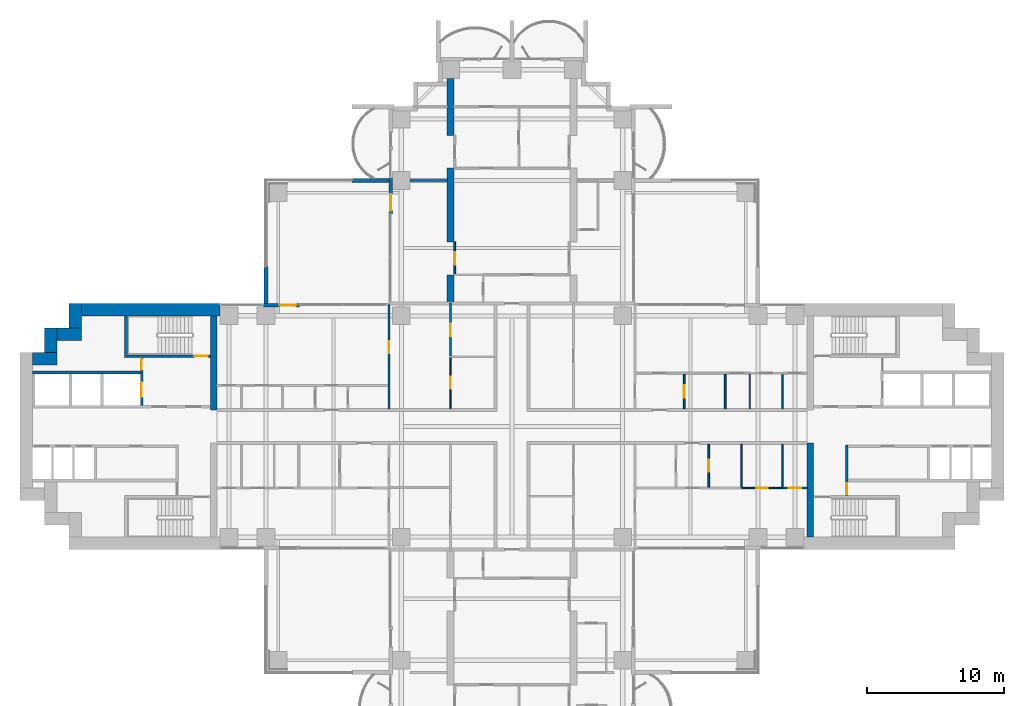
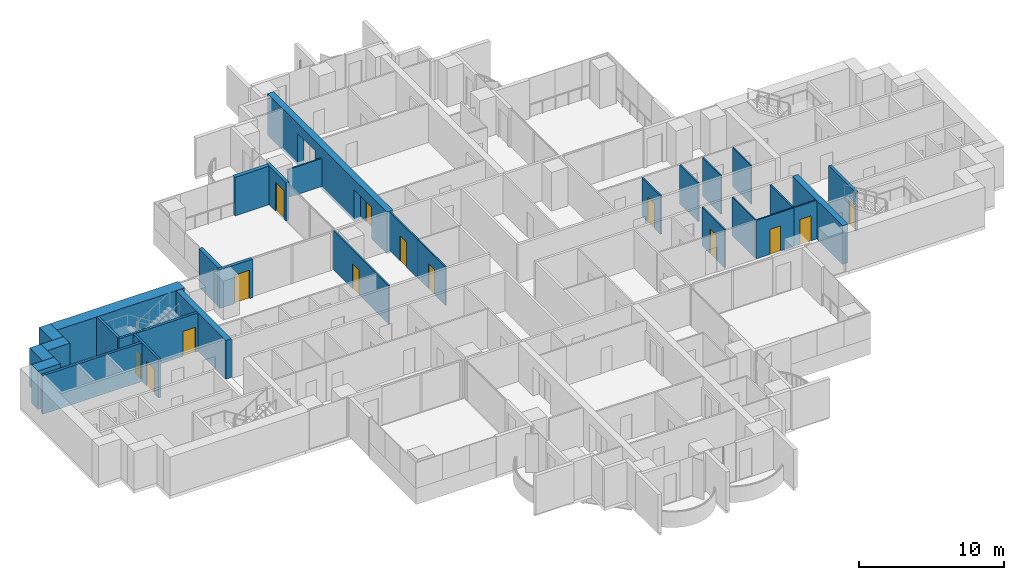
# One storey, part 13 of 21: 31 walls, 14 doors, 14 openings.
"""IFC4 building model written with IfcOpenShell, lengths in metres."""

from ifc_helpers import new_model, si_unit, direction, frame, frame_2d, origin, place, context, subcontext, project, spatial, polyline, rectangle, outline, extrude, material, layer, layer_set, material_profile, profile_set, type_object, element, fill, save


model = new_model("IFC4")

# Units and contexts
model_context = context("Model", 3, precision=1e-05, world=origin(), true_north=direction((0.0, 1.0)))
body_context = subcontext(model_context, "Body", "Model", "MODEL_VIEW")
ifc_project = project(units=[si_unit("LENGTHUNIT", "METRE"), si_unit("AREAUNIT", "SQUARE_METRE"), si_unit("VOLUMEUNIT", "CUBIC_METRE"), si_unit("PLANEANGLEUNIT", "RADIAN"), si_unit("MASSUNIT", "GRAM", prefix="KILO")], contexts=[model_context])

# Site, building, storey
site_placement = place(None, origin())
site = spatial("IfcSite", under=ifc_project, at=site_placement, CompositionType="ELEMENT")
building_placement = place(site_placement, origin())
building = spatial("IfcBuilding", under=site, at=building_placement, Name="Perihelion Cross Residences", CompositionType="ELEMENT")
storey_placement = place(building_placement, frame((0.0, 0.0, 54.0)))
storey = spatial("IfcBuildingStorey", under=building, at=storey_placement, Name="L10", CompositionType="ELEMENT", Elevation=54.0)

# Wall, opening, door
ifc_material_1 = material(Name="Concrete C30/37, bronze-clad", Category="concrete")
ifc_layer_1 = layer(ifc_material_1, 0.25)
ifc_layer_set_1 = layer_set([ifc_layer_1], Name="Bronze-clad pier wall 250")
wall_type_1 = type_object("IfcWallType", Name="Bronze-clad pier wall 250", PredefinedType="SOLIDWALL", material=ifc_layer_set_1)
wall_1_placement = place(storey_placement, frame((-8.875, 18.199951171875, 0.0), z_axis=(0.0, 0.0, 1.0), x_axis=(0.0, -1.0, 0.0)))
wall_1 = element("IfcWall", 1, at=wall_1_placement, inside=storey, type_object=wall_type_1, Name="Wall FW1 L10 north side west bay 2 pier", PredefinedType="SOLIDWALL", context=body_context, shape_type="SweptSolid", body=[
    extrude(rectangle(XDim=2.64990234375, YDim=0.25, at=frame_2d((1.324951171875, 0.0))), origin(), (0.0, 0.0, 1.0), 3.25),
])
opening_1_placement = place(wall_1_placement, frame((1.199951171875, 0.0, 0.0)))
opening_1 = element("IfcOpeningElement", 2, at=opening_1_placement, cuts=wall_1, Name="Opening L10.E07", PredefinedType="OPENING", context=body_context, shape_type="SweptSolid", body=[
    extrude(rectangle(XDim=1.199951171875, YDim=2.39990234375, at=frame_2d((0.60009765625, 1.199951171875))), frame((0.0, 0.135009765625, 0.0), z_axis=(0.0, -1.0, 0.0), x_axis=(1.0, 0.0, 0.0)), (0.0, 0.0, 1.0), 0.27001953125),
])
ifc_material_2 = material(Name="Bronze anodised aluminium, glazed", Category="aluminium")
door_type_1 = type_object("IfcDoorType", Name="Balcony door 1200 x 2400", OperationType="NOTDEFINED", PredefinedType="DOOR", material=ifc_material_2)
door_1_placement = place(opening_1_placement, origin())
door_1 = element("IfcDoor", 3, at=door_1_placement, inside=storey, type_object=door_type_1, Name="Door L10.E07 north side west bay 2", OperationType="SINGLE_SWING_RIGHT", OverallHeight=2.39990234375, OverallWidth=1.199951171875, PredefinedType="DOOR", context=body_context, shape_type="SweptSolid", body=[
    extrude(rectangle(XDim=1.199951171875, YDim=2.39990234375, at=frame_2d((0.60009765625, 1.199951171875))), frame((0.0, 0.02490234375, 0.0), z_axis=(0.0, -1.0, 0.0), x_axis=(1.0, 0.0, 0.0)), (0.0, 0.0, 1.0), 0.050048828125),
])
fill(opening_1, door_1)

wall_2_placement = place(storey_placement, frame((-15.550048828125, 8.875, 0.0), z_axis=(0.0, 0.0, 1.0), x_axis=(-1.0, 0.0, 0.0)))
wall_2 = element("IfcWall", 4, at=wall_2_placement, inside=storey, type_object=wall_type_1, Name="Wall FW1 L10 west side north bay 1 pier", PredefinedType="SOLIDWALL", context=body_context, shape_type="SweptSolid", body=[
    extrude(rectangle(XDim=2.64990234375, YDim=0.25, at=frame_2d((1.324951171875, 0.0))), origin(), (0.0, 0.0, 1.0), 3.25),
])
opening_2_placement = place(wall_2_placement, frame((0.25, 0.0, 0.0)))
opening_2 = element("IfcOpeningElement", 5, at=opening_2_placement, cuts=wall_2, Name="Opening L10.E08", PredefinedType="OPENING", context=body_context, shape_type="SweptSolid", body=[
    extrude(rectangle(XDim=1.199951171875, YDim=2.39990234375, at=frame_2d((0.60009765625, 1.199951171875))), frame((0.0, 0.135009765625, 0.0), z_axis=(0.0, -1.0, 0.0), x_axis=(1.0, 0.0, 0.0)), (0.0, 0.0, 1.0), 0.27001953125),
])
door_2_placement = place(opening_2_placement, origin())
door_2 = element("IfcDoor", 6, at=door_2_placement, inside=storey, type_object=door_type_1, Name="Door L10.E08 west side north bay 1", OperationType="SINGLE_SWING_LEFT", OverallHeight=2.39990234375, OverallWidth=1.199951171875, PredefinedType="DOOR", context=body_context, shape_type="SweptSolid", body=[
    extrude(rectangle(XDim=1.199951171875, YDim=2.39990234375, at=frame_2d((0.60009765625, 1.199951171875))), frame((0.0, 0.02490234375, 0.0), z_axis=(0.0, -1.0, 0.0), x_axis=(1.0, 0.0, 0.0)), (0.0, 0.0, 1.0), 0.050048828125),
])
fill(opening_2, door_2)

# Walls
ifc_material_3 = material(Name="Concrete C60/75", Category="concrete")
ifc_layer_2 = layer(ifc_material_3, 0.449951171875)
ifc_layer_set_2 = layer_set([ifc_layer_2], Name="Core wall, inner 450")
wall_type_2 = type_object("IfcWallType", Name="Core wall, inner 450", PredefinedType="SHEAR", material=ifc_layer_set_2)
for number, where, z_axis, x_axis, name in (
    (7, (21.824951171875, -8.10009765625, 0.0), (0.0, 0.0, 1.0), (0.0, 1.0, 0.0), "East core core wall, inner"),
    (8, (-21.824951171875, 1.199951171875, 0.0), (0.0, 0.0, 1.0), (0.0, 1.0, 0.0), "West core core wall, inner"),
):
    element("IfcWall", number, at=place(storey_placement, frame(where, z_axis=z_axis, x_axis=x_axis)), inside=storey, type_object=wall_type_2, Name=name, PredefinedType="SHEAR", context=body_context, shape_type="SweptSolid", body=[
        extrude(rectangle(XDim=6.900146484375, YDim=0.449951171875, at=frame_2d((3.4501953125, 0.0))), origin(), (0.0, 0.0, 1.0), 3.25),
    ])
ifc_material_4 = material(Name="Concrete C60/75", Category="concrete")
ifc_layer_3 = layer(ifc_material_4, 0.89990234375)
ifc_layer_set_3 = layer_set([ifc_layer_3], Name="Core wall, outer 900")
wall_type_3 = type_object("IfcWallType", Name="Core wall, outer 900", PredefinedType="SHEAR", material=ifc_layer_set_3)
for number, where, z_axis, x_axis, name in (
    (9, (-35.10009765625, 4.949951171875, 0.0), (0.0, 0.0, 1.0), (1.0, 0.0, 0.0), "West core core wall, outer"),
    (10, (-33.75, 5.39990234375, 0.0), (0.0, 0.0, 1.0), (0.0, 1.0, 0.0), "West core core wall, outer"),
    (11, (-33.300048828125, 6.75, 0.0), (0.0, 0.0, 1.0), (1.0, 0.0, 0.0), "West core core wall, outer"),
    (12, (-31.949951171875, 7.199951171875, 0.0), (0.0, 0.0, 1.0), (0.0, 1.0, 0.0), "West core core wall, outer"),
):
    element("IfcWall", number, at=place(storey_placement, frame(where, z_axis=z_axis, x_axis=x_axis)), inside=storey, type_object=wall_type_3, Name=name, PredefinedType="SHEAR", context=body_context, shape_type="SweptSolid", body=[
        extrude(rectangle(XDim=1.800048828125, YDim=0.89990234375, at=frame_2d((0.89990234375, 0.0))), origin(), (0.0, 0.0, 1.0), 3.25),
    ])
wall_3_placement = place(storey_placement, frame((-31.5, 8.550048828125, 0.0), z_axis=(0.0, 0.0, 1.0), x_axis=(1.0, 0.0, 0.0)))
element("IfcWall", 13, at=wall_3_placement, inside=storey, type_object=wall_type_3, Name="West core core wall, outer", PredefinedType="SHEAR", context=body_context, shape_type="SweptSolid", body=[
    extrude(rectangle(XDim=10.14990234375, YDim=0.89990234375, at=frame_2d((5.074951171875, 0.0))), origin(), (0.0, 0.0, 1.0), 3.25),
])

# Wall, opening, door
ifc_material_5 = material(Name="Plasterboard partition")
ifc_layer_4 = layer(ifc_material_5, 0.1201171875)
ifc_layer_set_4 = layer_set([ifc_layer_4], Name="Infill panel 120")
wall_type_4 = type_object("IfcWallType", Name="Infill panel 120", PredefinedType="PARTITIONING", material=ifc_layer_set_4)
wall_4_placement = place(storey_placement, frame((-4.18994140625, 11.10009765625, 0.0), z_axis=(0.0, 0.0, 1.0), x_axis=(0.0, 1.0, 0.0)))
wall_4 = element("IfcWall", 14, at=wall_4_placement, inside=storey, type_object=wall_type_4, Name="Partition L10 WI03", PredefinedType="PARTITIONING", context=body_context, shape_type="SweptSolid", body=[
    extrude(rectangle(XDim=2.39990234375, YDim=0.1201171875, at=frame_2d((1.199951171875, 0.0))), origin(), (0.0, 0.0, 1.0), 2.39990234375),
])
opening_3_placement = place(wall_4_placement, frame((0.75, 0.0, 0.0)))
opening_3 = element("IfcOpeningElement", 15, at=opening_3_placement, cuts=wall_4, Name="Opening L10.A53", PredefinedType="OPENING", context=body_context, shape_type="SweptSolid", body=[
    extrude(rectangle(XDim=0.89990234375, YDim=2.10009765625, at=frame_2d((0.449951171875, 1.050048828125))), frame((0.0, 0.070068359375, 0.0), z_axis=(0.0, -1.0, 0.0), x_axis=(1.0, 0.0, 0.0)), (0.0, 0.0, 1.0), 0.14013671875),
])
ifc_material_6 = material(Name="Timber door leaf", Category="wood")
door_type_2 = type_object("IfcDoorType", Name="Interior room door 900 x 2100", OperationType="SINGLE_SWING_LEFT", PredefinedType="DOOR", material=ifc_material_6)
door_3_placement = place(opening_3_placement, origin())
door_3 = element("IfcDoor", 16, at=door_3_placement, inside=storey, type_object=door_type_2, Name="Door L10.A53", OperationType="SINGLE_SWING_RIGHT", OverallHeight=2.10009765625, OverallWidth=0.89990234375, PredefinedType="DOOR", context=body_context, shape_type="SweptSolid", body=[
    extrude(rectangle(XDim=0.89990234375, YDim=2.10009765625, at=frame_2d((0.449951171875, 1.050048828125))), frame((0.0, 0.02490234375, 0.0), z_axis=(0.0, -1.0, 0.0), x_axis=(1.0, 0.0, 0.0)), (0.0, 0.0, 1.0), 0.050048828125),
])
fill(opening_3, door_3)

ifc_material_7 = material(Name="Concrete C50/60", Category="concrete")
ifc_layer_5 = layer(ifc_material_7, 0.199951171875)
ifc_layer_set_5 = layer_set([ifc_layer_5], Name="Lobby wall 200")
wall_type_5 = type_object("IfcWallType", Name="Lobby wall 200", PredefinedType="SOLIDWALL", material=ifc_layer_set_5)
wall_5_placement = place(storey_placement, frame((24.5, -5.050048828125, 0.0), z_axis=(0.0, 0.0, 1.0), x_axis=(0.0, 1.0, 0.0)))
wall_5 = element("IfcWall", 17, at=wall_5_placement, inside=storey, type_object=wall_type_5, Name="East core lobby wall", PredefinedType="SOLIDWALL", context=body_context, shape_type="SweptSolid", body=[
    extrude(rectangle(XDim=3.699951171875, YDim=0.199951171875, at=frame_2d((1.85009765625, 0.0))), origin(), (0.0, 0.0, 1.0), 3.25),
])
opening_4_placement = place(wall_5_placement, frame((0.10009765625, 0.0, 0.0)))
opening_4 = element("IfcOpeningElement", 18, at=opening_4_placement, cuts=wall_5, Name="Opening L10.C08", PredefinedType="OPENING", context=body_context, shape_type="SweptSolid", body=[
    extrude(rectangle(XDim=0.800048828125, YDim=2.10009765625, at=frame_2d((0.39990234375, 1.050048828125))), frame((0.0, 0.10986328125, 0.0), z_axis=(0.0, -1.0, 0.0), x_axis=(1.0, 0.0, 0.0)), (0.0, 0.0, 1.0), 0.219970703125),
])
ifc_material_8 = material(Name="Steel, powder coated", Category="steel")
door_type_3 = type_object("IfcDoorType", Name="Riser door 800", OperationType="SINGLE_SWING_LEFT", PredefinedType="DOOR", material=ifc_material_8)
door_4_placement = place(opening_4_placement, origin())
door_4 = element("IfcDoor", 19, at=door_4_placement, inside=storey, type_object=door_type_3, Name="East core riser door", OperationType="SINGLE_SWING_LEFT", OverallHeight=2.10009765625, OverallWidth=0.800048828125, PredefinedType="DOOR", context=body_context, shape_type="SweptSolid", body=[
    extrude(rectangle(XDim=0.800048828125, YDim=2.10009765625, at=frame_2d((0.39990234375, 1.050048828125))), frame((0.0, 0.02490234375, 0.0), z_axis=(0.0, -1.0, 0.0), x_axis=(1.0, 0.0, 0.0)), (0.0, 0.0, 1.0), 0.050048828125),
])
fill(opening_4, door_4)

ifc_material_9 = material(Name="Plasterboard partition")
ifc_layer_6 = layer(ifc_material_9, 0.1201171875)
ifc_layer_set_6 = layer_set([ifc_layer_6], Name="Partition wall 120")
wall_type_6 = type_object("IfcWallType", Name="Partition wall 120", PredefinedType="PARTITIONING", material=ifc_layer_set_6)
wall_6_placement = place(storey_placement, frame((12.60009765625, 3.840087890625, 0.0), z_axis=(0.0, 0.0, 1.0), x_axis=(0.0, -1.0, 0.0)))
wall_6 = element("IfcWall", 20, at=wall_6_placement, inside=storey, type_object=wall_type_6, Name="Partition L10 W011", PredefinedType="PARTITIONING", context=body_context, shape_type="SweptSolid", body=[
    extrude(rectangle(XDim=2.5400390625, YDim=0.1201171875, at=frame_2d((1.27001953125, 0.0))), origin(), (0.0, 0.0, 1.0), 3.25),
])
opening_5_placement = place(wall_6_placement, frame((0.820068359375, 0.0, 0.0)))
opening_5 = element("IfcOpeningElement", 21, at=opening_5_placement, cuts=wall_6, Name="Opening L10.A04", PredefinedType="OPENING", context=body_context, shape_type="SweptSolid", body=[
    extrude(rectangle(XDim=0.89990234375, YDim=2.10009765625, at=frame_2d((0.449951171875, 1.050048828125))), frame((0.0, 0.070068359375, 0.0), z_axis=(0.0, -1.0, 0.0), x_axis=(1.0, 0.0, 0.0)), (0.0, 0.0, 1.0), 0.14013671875),
])
door_5_placement = place(opening_5_placement, origin())
door_5 = element("IfcDoor", 22, at=door_5_placement, inside=storey, type_object=door_type_2, Name="Door L10.A04", OperationType="SINGLE_SWING_RIGHT", OverallHeight=2.10009765625, OverallWidth=0.89990234375, PredefinedType="DOOR", context=body_context, shape_type="SweptSolid", body=[
    extrude(rectangle(XDim=0.89990234375, YDim=2.10009765625, at=frame_2d((0.449951171875, 1.050048828125))), frame((0.0, 0.02490234375, 0.0), z_axis=(0.0, -1.0, 0.0), x_axis=(1.0, 0.0, 0.0)), (0.0, 0.0, 1.0), 0.050048828125),
])
fill(opening_5, door_5)

# Wall
wall_7_placement = place(storey_placement, frame((15.60009765625, 3.840087890625, 0.0), z_axis=(0.0, 0.0, 1.0), x_axis=(0.0, -1.0, 0.0)))
element("IfcWall", 23, at=wall_7_placement, inside=storey, type_object=wall_type_6, Name="Partition L10 W014", PredefinedType="PARTITIONING", context=body_context, shape_type="SweptSolid", body=[
    extrude(rectangle(XDim=2.5400390625, YDim=0.1201171875, at=frame_2d((1.27001953125, 0.0))), origin(), (0.0, 0.0, 1.0), 3.25),
])

# Wall, opening, door
wall_8_placement = place(storey_placement, frame((14.39990234375, -1.300048828125, 0.0), z_axis=(0.0, 0.0, 1.0), x_axis=(0.0, -1.0, 0.0)))
wall_8 = element("IfcWall", 24, at=wall_8_placement, inside=storey, type_object=wall_type_6, Name="Partition L10 W023", PredefinedType="PARTITIONING", context=body_context, shape_type="SweptSolid", body=[
    extrude(rectangle(XDim=3.139892578125, YDim=0.1201171875, at=frame_2d((1.56982421875, 0.0))), origin(), (0.0, 0.0, 1.0), 3.25),
])
opening_6_placement = place(wall_8_placement, frame((1.1201171875, 0.0, 0.0)))
opening_6 = element("IfcOpeningElement", 25, at=opening_6_placement, cuts=wall_8, Name="Opening L10.A15", PredefinedType="OPENING", context=body_context, shape_type="SweptSolid", body=[
    extrude(rectangle(XDim=0.89990234375, YDim=2.10009765625, at=frame_2d((0.449951171875, 1.050048828125))), frame((0.0, 0.070068359375, 0.0), z_axis=(0.0, -1.0, 0.0), x_axis=(1.0, 0.0, 0.0)), (0.0, 0.0, 1.0), 0.14013671875),
])
door_6_placement = place(opening_6_placement, origin())
door_6 = element("IfcDoor", 26, at=door_6_placement, inside=storey, type_object=door_type_2, Name="Door L10.A15", OperationType="SINGLE_SWING_LEFT", OverallHeight=2.10009765625, OverallWidth=0.89990234375, PredefinedType="DOOR", context=body_context, shape_type="SweptSolid", body=[
    extrude(rectangle(XDim=0.89990234375, YDim=2.10009765625, at=frame_2d((0.449951171875, 1.050048828125))), frame((0.0, 0.02490234375, 0.0), z_axis=(0.0, -1.0, 0.0), x_axis=(1.0, 0.0, 0.0)), (0.0, 0.0, 1.0), 0.050048828125),
])
fill(opening_6, door_6)

wall_9_placement = place(storey_placement, frame((21.60009765625, -4.5, 0.0), z_axis=(0.0, 0.0, 1.0), x_axis=(-1.0, 0.0, 0.0)))
wall_9 = element("IfcWall", 27, at=wall_9_placement, inside=storey, type_object=wall_type_6, Name="Partition L10 W027", PredefinedType="PARTITIONING", context=body_context, shape_type="SweptSolid", body=[
    extrude(rectangle(XDim=1.800048828125, YDim=0.1201171875, at=frame_2d((0.89990234375, 0.0))), origin(), (0.0, 0.0, 1.0), 3.25),
])
opening_7_placement = place(wall_9_placement, frame((0.449951171875, 0.0, 0.0)))
opening_7 = element("IfcOpeningElement", 28, at=opening_7_placement, cuts=wall_9, Name="Opening L10.A13", PredefinedType="OPENING", context=body_context, shape_type="SweptSolid", body=[
    extrude(rectangle(XDim=0.89990234375, YDim=2.10009765625, at=frame_2d((0.449951171875, 1.050048828125))), frame((0.0, 0.070068359375, 0.0), z_axis=(0.0, -1.0, 0.0), x_axis=(1.0, 0.0, 0.0)), (0.0, 0.0, 1.0), 0.14013671875),
])
door_7_placement = place(opening_7_placement, origin())
door_7 = element("IfcDoor", 29, at=door_7_placement, inside=storey, type_object=door_type_2, Name="Door L10.A13", OperationType="SINGLE_SWING_LEFT", OverallHeight=2.10009765625, OverallWidth=0.89990234375, PredefinedType="DOOR", context=body_context, shape_type="SweptSolid", body=[
    extrude(rectangle(XDim=0.89990234375, YDim=2.10009765625, at=frame_2d((0.449951171875, 1.050048828125))), frame((0.0, 0.02490234375, 0.0), z_axis=(0.0, -1.0, 0.0), x_axis=(1.0, 0.0, 0.0)), (0.0, 0.0, 1.0), 0.050048828125),
])
fill(opening_7, door_7)

wall_10_placement = place(storey_placement, frame((-9.0, 8.919921875, 0.0), z_axis=(0.0, 0.0, 1.0), x_axis=(0.0, -1.0, 0.0)))
wall_10 = element("IfcWall", 30, at=wall_10_placement, inside=storey, type_object=wall_type_6, Name="Partition L10 W033", PredefinedType="PARTITIONING", context=body_context, shape_type="SweptSolid", body=[
    extrude(rectangle(XDim=7.619873046875, YDim=0.1201171875, at=frame_2d((3.81005859375, 0.0))), origin(), (0.0, 0.0, 1.0), 3.25),
])
opening_8_placement = place(wall_10_placement, frame((2.669921875, 0.0, 0.0)))
opening_8 = element("IfcOpeningElement", 31, at=opening_8_placement, cuts=wall_10, Name="Opening L10.A20", PredefinedType="OPENING", context=body_context, shape_type="SweptSolid", body=[
    extrude(rectangle(XDim=0.89990234375, YDim=2.10009765625, at=frame_2d((0.449951171875, 1.050048828125))), frame((0.0, 0.070068359375, 0.0), z_axis=(0.0, -1.0, 0.0), x_axis=(1.0, 0.0, 0.0)), (0.0, 0.0, 1.0), 0.14013671875),
])
door_8_placement = place(opening_8_placement, origin())
door_8 = element("IfcDoor", 32, at=door_8_placement, inside=storey, type_object=door_type_2, Name="Door L10.A20", OperationType="SINGLE_SWING_RIGHT", OverallHeight=2.10009765625, OverallWidth=0.89990234375, PredefinedType="DOOR", context=body_context, shape_type="SweptSolid", body=[
    extrude(rectangle(XDim=0.89990234375, YDim=2.10009765625, at=frame_2d((0.449951171875, 1.050048828125))), frame((0.0, 0.02490234375, 0.0), z_axis=(0.0, -1.0, 0.0), x_axis=(1.0, 0.0, 0.0)), (0.0, 0.0, 1.0), 0.050048828125),
])
fill(opening_8, door_8)

wall_11_placement = place(storey_placement, frame((-4.5, 9.0, 0.0), z_axis=(0.0, 0.0, 1.0), x_axis=(0.0, -1.0, 0.0)))
wall_11 = element("IfcWall", 33, at=wall_11_placement, inside=storey, type_object=wall_type_6, Name="Partition L10 W040", PredefinedType="PARTITIONING", context=body_context, shape_type="SweptSolid", body=[
    extrude(rectangle(XDim=3.89990234375, YDim=0.1201171875, at=frame_2d((1.949951171875, 0.0))), origin(), (0.0, 0.0, 1.0), 3.25),
])
opening_9_placement = place(wall_11_placement, frame((1.5, 0.0, 0.0)))
opening_9 = element("IfcOpeningElement", 34, at=opening_9_placement, cuts=wall_11, Name="Opening L10.A18", PredefinedType="OPENING", context=body_context, shape_type="SweptSolid", body=[
    extrude(rectangle(XDim=0.89990234375, YDim=2.10009765625, at=frame_2d((0.449951171875, 1.050048828125))), frame((0.0, 0.070068359375, 0.0), z_axis=(0.0, -1.0, 0.0), x_axis=(1.0, 0.0, 0.0)), (0.0, 0.0, 1.0), 0.14013671875),
])
door_9_placement = place(opening_9_placement, origin())
door_9 = element("IfcDoor", 35, at=door_9_placement, inside=storey, type_object=door_type_2, Name="Door L10.A18", OperationType="SINGLE_SWING_LEFT", OverallHeight=2.10009765625, OverallWidth=0.89990234375, PredefinedType="DOOR", context=body_context, shape_type="SweptSolid", body=[
    extrude(rectangle(XDim=0.89990234375, YDim=2.10009765625, at=frame_2d((0.449951171875, 1.050048828125))), frame((0.0, 0.02490234375, 0.0), z_axis=(0.0, -1.0, 0.0), x_axis=(1.0, 0.0, 0.0)), (0.0, 0.0, 1.0), 0.050048828125),
])
fill(opening_9, door_9)

# Walls
wall_12_placement = place(storey_placement, frame((-7.449951171875, 18.0, 0.0), z_axis=(0.0, 0.0, 1.0), x_axis=(1.0, 0.0, 0.0)))
element("IfcWall", 36, at=wall_12_placement, inside=storey, type_object=wall_type_6, Name="Partition L10 W064", PredefinedType="PARTITIONING", context=body_context, shape_type="SweptSolid", body=[
    extrude(rectangle(XDim=2.699951171875, YDim=0.1201171875, at=frame_2d((1.35009765625, 0.0))), origin(), (0.0, 0.0, 1.0), 2.345947265625),
])
ifc_material_10 = material(Name="Precast concrete C50/60", Category="concrete")
ifc_layer_7 = layer(ifc_material_10, 0.300048828125)
ifc_layer_set_7 = layer_set([ifc_layer_7], Name="Precast concrete C50/60 blade wall 300")
wall_type_7 = type_object("IfcWallType", Name="Precast concrete C50/60 blade wall 300", PredefinedType="SOLIDWALL", material=ifc_layer_set_7)
for number, where, z_axis, x_axis, name in (
    (37, (-18.0, 8.75, 0.0), (0.0, 0.0, 1.0), (0.0, 1.0, 0.0), "Wall BL1 L10 no. 2"),
    (38, (-8.75, 18.0, 0.0), (0.0, 0.0, 1.0), (-1.0, 0.0, 0.0), "Wall BL1 L10 no. 7"),
):
    element("IfcWall", number, at=place(storey_placement, frame(where, z_axis=z_axis, x_axis=x_axis)), inside=storey, type_object=wall_type_7, Name=name, PredefinedType="SOLIDWALL", context=body_context, shape_type="SweptSolid", body=[
        extrude(rectangle(XDim=2.949951171875, YDim=0.300048828125, at=frame_2d((1.47509765625, 0.0))), origin(), (0.0, 0.0, 1.0), 3.25),
    ])
ifc_material_11 = material(Name="Concrete C50/60", Category="concrete")
ifc_layer_8 = layer(ifc_material_11, 0.199951171875)
ifc_layer_set_8 = layer_set([ifc_layer_8], Name="Shaft wall 200")
wall_type_8 = type_object("IfcWallType", Name="Shaft wall 200", PredefinedType="SOLIDWALL", material=ifc_layer_set_8)
wall_13_placement = place(storey_placement, frame((-35.10009765625, 3.949951171875, 0.0), z_axis=(0.0, 0.0, 1.0), x_axis=(1.0, 0.0, 0.0)))
element("IfcWall", 39, at=wall_13_placement, inside=storey, type_object=wall_type_8, Name="West core shaft wall", PredefinedType="SOLIDWALL", context=body_context, shape_type="SweptSolid", body=[
    extrude(rectangle(XDim=7.900146484375, YDim=0.199951171875, at=frame_2d((3.9501953125, 0.0))), origin(), (0.0, 0.0, 1.0), 3.25),
])

# Wall, openings, doors
wall_14_placement = place(storey_placement, frame((-27.10009765625, 1.550048828125, 0.0), z_axis=(0.0, 0.0, 1.0), x_axis=(0.0, 1.0, 0.0)))
wall_14 = element("IfcWall", 40, at=wall_14_placement, inside=storey, type_object=wall_type_8, Name="West core shaft wall", PredefinedType="SOLIDWALL", context=body_context, shape_type="SweptSolid", body=[
    extrude(rectangle(XDim=3.5, YDim=0.199951171875, at=frame_2d((1.75, 0.0))), origin(), (0.0, 0.0, 1.0), 3.25),
])
opening_10_placement = place(wall_14_placement, frame((0.60009765625, 0.0, 0.0)))
opening_10 = element("IfcOpeningElement", 41, at=opening_10_placement, cuts=wall_14, Name="Opening L10.C12", PredefinedType="OPENING", context=body_context, shape_type="SweptSolid", body=[
    extrude(rectangle(XDim=1.10009765625, YDim=2.10009765625, at=frame_2d((0.550048828125, 1.050048828125))), frame((0.0, 0.10986328125, 0.0), z_axis=(0.0, -1.0, 0.0), x_axis=(1.0, 0.0, 0.0)), (0.0, 0.0, 1.0), 0.219970703125),
])
opening_11_placement = place(wall_14_placement, frame((2.60009765625, 0.0, 0.0)))
opening_11 = element("IfcOpeningElement", 42, at=opening_11_placement, cuts=wall_14, Name="Opening L10.C21", PredefinedType="OPENING", context=body_context, shape_type="SweptSolid", body=[
    extrude(rectangle(XDim=0.800048828125, YDim=2.10009765625, at=frame_2d((0.39990234375, 1.050048828125))), frame((0.0, 0.10986328125, 0.0), z_axis=(0.0, -1.0, 0.0), x_axis=(1.0, 0.0, 0.0)), (0.0, 0.0, 1.0), 0.219970703125),
])
ifc_material_12 = material(Name="Stainless steel", Category="steel")
door_type_4 = type_object("IfcDoorType", Name="Landing door, firefighting lift 1100", OperationType="DOUBLE_DOOR_SLIDING", PredefinedType="DOOR", material=ifc_material_12)
door_10_placement = place(opening_10_placement, origin())
door_10 = element("IfcDoor", 43, at=door_10_placement, inside=storey, type_object=door_type_4, Name="Landing door, West core firefighting and service lift", OperationType="DOUBLE_DOOR_SLIDING", OverallHeight=2.10009765625, OverallWidth=1.10009765625, PredefinedType="DOOR", context=body_context, shape_type="SweptSolid", body=[
    extrude(rectangle(XDim=1.10009765625, YDim=2.10009765625, at=frame_2d((0.550048828125, 1.050048828125))), frame((0.0, 0.02490234375, 0.0), z_axis=(0.0, -1.0, 0.0), x_axis=(1.0, 0.0, 0.0)), (0.0, 0.0, 1.0), 0.050048828125),
])
fill(opening_10, door_10)
door_11_placement = place(opening_11_placement, origin())
door_11 = element("IfcDoor", 44, at=door_11_placement, inside=storey, type_object=door_type_3, Name="West core riser door", OperationType="SINGLE_SWING_LEFT", OverallHeight=2.10009765625, OverallWidth=0.800048828125, PredefinedType="DOOR", context=body_context, shape_type="SweptSolid", body=[
    extrude(rectangle(XDim=0.800048828125, YDim=2.10009765625, at=frame_2d((0.39990234375, 1.050048828125))), frame((0.0, 0.02490234375, 0.0), z_axis=(0.0, -1.0, 0.0), x_axis=(1.0, 0.0, 0.0)), (0.0, 0.0, 1.0), 0.050048828125),
])
fill(opening_11, door_11)

# Wall, opening, door
ifc_material_13 = material(Name="Concrete C50/60", Category="concrete")
ifc_layer_9 = layer(ifc_material_13, 0.199951171875)
ifc_layer_set_9 = layer_set([ifc_layer_9], Name="Stair wall 200")
wall_type_9 = type_object("IfcWallType", Name="Stair wall 200", PredefinedType="SOLIDWALL", material=ifc_layer_set_9)
wall_15_placement = place(storey_placement, frame((-28.35009765625, 5.14990234375, 0.0), z_axis=(0.0, 0.0, 1.0), x_axis=(1.0, 0.0, 0.0)))
wall_15 = element("IfcWall", 45, at=wall_15_placement, inside=storey, type_object=wall_type_9, Name="West core stair wall", PredefinedType="SOLIDWALL", context=body_context, shape_type="SweptSolid", body=[
    extrude(rectangle(XDim=6.300048828125, YDim=0.199951171875, at=frame_2d((3.14990234375, 0.0))), origin(), (0.0, 0.0, 1.0), 3.25),
])
opening_12_placement = place(wall_15_placement, frame((5.10009765625, 0.0, 0.0)))
opening_12 = element("IfcOpeningElement", 46, at=opening_12_placement, cuts=wall_15, Name="Opening L10.C17", PredefinedType="OPENING", context=body_context, shape_type="SweptSolid", body=[
    extrude(rectangle(XDim=1.0, YDim=2.10009765625, at=frame_2d((0.5, 1.050048828125))), frame((0.0, 0.10986328125, 0.0), z_axis=(0.0, -1.0, 0.0), x_axis=(1.0, 0.0, 0.0)), (0.0, 0.0, 1.0), 0.219970703125),
])
ifc_material_14 = material(Name="Steel, powder coated", Category="steel")
door_type_5 = type_object("IfcDoorType", Name="Stair door 1000", OperationType="SINGLE_SWING_LEFT", PredefinedType="DOOR", material=ifc_material_14)
door_12_placement = place(opening_12_placement, origin())
door_12 = element("IfcDoor", 47, at=door_12_placement, inside=storey, type_object=door_type_5, Name="West core stair door", OperationType="SINGLE_SWING_LEFT", OverallHeight=2.10009765625, OverallWidth=1.0, PredefinedType="DOOR", context=body_context, shape_type="SweptSolid", body=[
    extrude(rectangle(XDim=1.0, YDim=2.10009765625, at=frame_2d((0.5, 1.050048828125))), frame((0.0, 0.02490234375, 0.0), z_axis=(0.0, -1.0, 0.0), x_axis=(1.0, 0.0, 0.0)), (0.0, 0.0, 1.0), 0.050048828125),
])
fill(opening_12, door_12)

# Walls
wall_16_placement = place(storey_placement, frame((-28.25, 5.25, 0.0), z_axis=(0.0, 0.0, 1.0), x_axis=(0.0, 1.0, 0.0)))
element("IfcWall", 48, at=wall_16_placement, inside=storey, type_object=wall_type_9, Name="West core stair wall", PredefinedType="SOLIDWALL", context=body_context, shape_type="SweptSolid", body=[
    extrude(rectangle(XDim=2.85009765625, YDim=0.199951171875, at=frame_2d((1.425048828125, 0.0))), origin(), (0.0, 0.0, 1.0), 3.25),
])
ifc_material_15 = material(Name="Concrete C60/75", Category="concrete")
ifc_material_profile = material_profile(ifc_material_15, outline(polyline([(0.0, 0.0), (2.10009765625, 0.0), (2.10009765625, 2.64990234375), (4.5, 2.64990234375), (4.5, 0.0), (9.89990234375, 0.0), (9.89990234375, 2.64990234375), (12.300048828125, 2.64990234375), (12.300048828125, 0.0), (16.449951171875, 0.0), (16.449951171875, 3.5), (0.0, 3.5), (0.0, 0.0)])), Name="Tip spine wall")
ifc_profile_set = profile_set([ifc_material_profile], Name="Concrete C60/75")
wall_type_10 = type_object("IfcWallType", Name="Tip spine wall 500 with 2 door openings 16450 long 3500 high concrete C60/75 hand B", PredefinedType="SHEAR", material=ifc_profile_set)
wall_17_placement = place(storey_placement, frame((-4.75, 9.0, -0.25), z_axis=(1.0, 0.0, 0.0), x_axis=(0.0, 1.0, 0.0)))
element("IfcWall", 49, at=wall_17_placement, inside=storey, type_object=wall_type_10, Name="Shear wall SW23 L10 north west", PredefinedType="SHEAR", context=body_context, shape_type="SweptSolid", body=[
    extrude(outline(polyline([(0.0, 0.0), (2.10009765625, 0.0), (2.10009765625, 2.64990234375), (4.5, 2.64990234375), (4.5, 0.0), (9.89990234375, 0.0), (9.89990234375, 2.64990234375), (12.300048828125, 2.64990234375), (12.300048828125, 0.0), (16.449951171875, 0.0), (16.449951171875, 3.5), (0.0, 3.5), (0.0, 0.0)])), origin(), (0.0, 0.0, 1.0), 0.5),
])
ifc_material_16 = material(Name="Plasterboard partition")
ifc_layer_10 = layer(ifc_material_16, 0.10009765625)
ifc_layer_set_10 = layer_set([ifc_layer_10], Name="Wet room wall 100")
wall_type_11 = type_object("IfcWallType", Name="Wet room wall 100", PredefinedType="PARTITIONING", material=ifc_layer_set_10)
for number, where, z_axis, x_axis, name in (
    (50, (17.39990234375, 3.840087890625, 0.0), (0.0, 0.0, 1.0), (0.0, -1.0, 0.0), "Partition L10 W015"),
    (51, (19.800048828125, 3.840087890625, 0.0), (0.0, 0.0, 1.0), (0.0, -1.0, 0.0), "Partition L10 W016"),
):
    element("IfcWall", number, at=place(storey_placement, frame(where, z_axis=z_axis, x_axis=x_axis)), inside=storey, type_object=wall_type_11, Name=name, PredefinedType="PARTITIONING", context=body_context, shape_type="SweptSolid", body=[
        extrude(rectangle(XDim=2.5400390625, YDim=0.10009765625, at=frame_2d((1.27001953125, 0.0))), origin(), (0.0, 0.0, 1.0), 3.25),
    ])
for number, where, z_axis, x_axis, name in (
    (52, (16.800048828125, -1.300048828125, 0.0), (0.0, 0.0, 1.0), (0.0, -1.0, 0.0), "Partition L10 W024"),
    (53, (19.800048828125, -1.300048828125, 0.0), (0.0, 0.0, 1.0), (0.0, -1.0, 0.0), "Partition L10 W025"),
):
    element("IfcWall", number, at=place(storey_placement, frame(where, z_axis=z_axis, x_axis=x_axis)), inside=storey, type_object=wall_type_11, Name=name, PredefinedType="PARTITIONING", context=body_context, shape_type="SweptSolid", body=[
        extrude(rectangle(XDim=3.139892578125, YDim=0.10009765625, at=frame_2d((1.56982421875, 0.0))), origin(), (0.0, 0.0, 1.0), 3.25),
    ])

# Wall, opening, door
wall_18_placement = place(storey_placement, frame((19.800048828125, -4.5, 0.0), z_axis=(0.0, 0.0, 1.0), x_axis=(-1.0, 0.0, 0.0)))
wall_18 = element("IfcWall", 54, at=wall_18_placement, inside=storey, type_object=wall_type_11, Name="Partition L10 W026", PredefinedType="PARTITIONING", context=body_context, shape_type="SweptSolid", body=[
    extrude(rectangle(XDim=3.0, YDim=0.10009765625, at=frame_2d((1.5, 0.0))), origin(), (0.0, 0.0, 1.0), 3.25),
])
opening_13_placement = place(wall_18_placement, frame((1.074951171875, 0.0, 0.0)))
opening_13 = element("IfcOpeningElement", 55, at=opening_13_placement, cuts=wall_18, Name="Opening L10.A08", PredefinedType="OPENING", context=body_context, shape_type="SweptSolid", body=[
    extrude(rectangle(XDim=0.85009765625, YDim=2.10009765625, at=frame_2d((0.425048828125, 1.050048828125))), frame((0.0, 0.06005859375, 0.0), z_axis=(0.0, -1.0, 0.0), x_axis=(1.0, 0.0, 0.0)), (0.0, 0.0, 1.0), 0.1201171875),
])
ifc_material_17 = material(Name="Timber door leaf", Category="wood")
door_type_6 = type_object("IfcDoorType", Name="Interior bathroom door 850 x 2100", OperationType="SINGLE_SWING_LEFT", PredefinedType="DOOR", material=ifc_material_17)
door_13_placement = place(opening_13_placement, origin())
door_13 = element("IfcDoor", 56, at=door_13_placement, inside=storey, type_object=door_type_6, Name="Door L10.A08", OperationType="SINGLE_SWING_RIGHT", OverallHeight=2.10009765625, OverallWidth=0.85009765625, PredefinedType="DOOR", context=body_context, shape_type="SweptSolid", body=[
    extrude(rectangle(XDim=0.85009765625, YDim=2.10009765625, at=frame_2d((0.425048828125, 1.050048828125))), frame((0.0, 0.02490234375, 0.0), z_axis=(0.0, -1.0, 0.0), x_axis=(1.0, 0.0, 0.0)), (0.0, 0.0, 1.0), 0.050048828125),
])
fill(opening_13, door_13)

wall_19_placement = place(storey_placement, frame((-4.5, 5.10009765625, 0.0), z_axis=(0.0, 0.0, 1.0), x_axis=(0.0, -1.0, 0.0)))
wall_19 = element("IfcWall", 57, at=wall_19_placement, inside=storey, type_object=wall_type_11, Name="Partition L10 W039", PredefinedType="PARTITIONING", context=body_context, shape_type="SweptSolid", body=[
    extrude(rectangle(XDim=3.800048828125, YDim=0.10009765625, at=frame_2d((1.89990234375, 0.0))), origin(), (0.0, 0.0, 1.0), 3.25),
])
opening_14_placement = place(wall_19_placement, frame((1.47509765625, 0.0, 0.0)))
opening_14 = element("IfcOpeningElement", 58, at=opening_14_placement, cuts=wall_19, Name="Opening L10.A21", PredefinedType="OPENING", context=body_context, shape_type="SweptSolid", body=[
    extrude(rectangle(XDim=0.85009765625, YDim=2.10009765625, at=frame_2d((0.425048828125, 1.050048828125))), frame((0.0, 0.06005859375, 0.0), z_axis=(0.0, -1.0, 0.0), x_axis=(1.0, 0.0, 0.0)), (0.0, 0.0, 1.0), 0.1201171875),
])
door_14_placement = place(opening_14_placement, origin())
door_14 = element("IfcDoor", 59, at=door_14_placement, inside=storey, type_object=door_type_6, Name="Door L10.A21", OperationType="SINGLE_SWING_RIGHT", OverallHeight=2.10009765625, OverallWidth=0.85009765625, PredefinedType="DOOR", context=body_context, shape_type="SweptSolid", body=[
    extrude(rectangle(XDim=0.85009765625, YDim=2.10009765625, at=frame_2d((0.425048828125, 1.050048828125))), frame((0.0, 0.02490234375, 0.0), z_axis=(0.0, -1.0, 0.0), x_axis=(1.0, 0.0, 0.0)), (0.0, 0.0, 1.0), 0.050048828125),
])
fill(opening_14, door_14)

save(model, "model.ifc")
